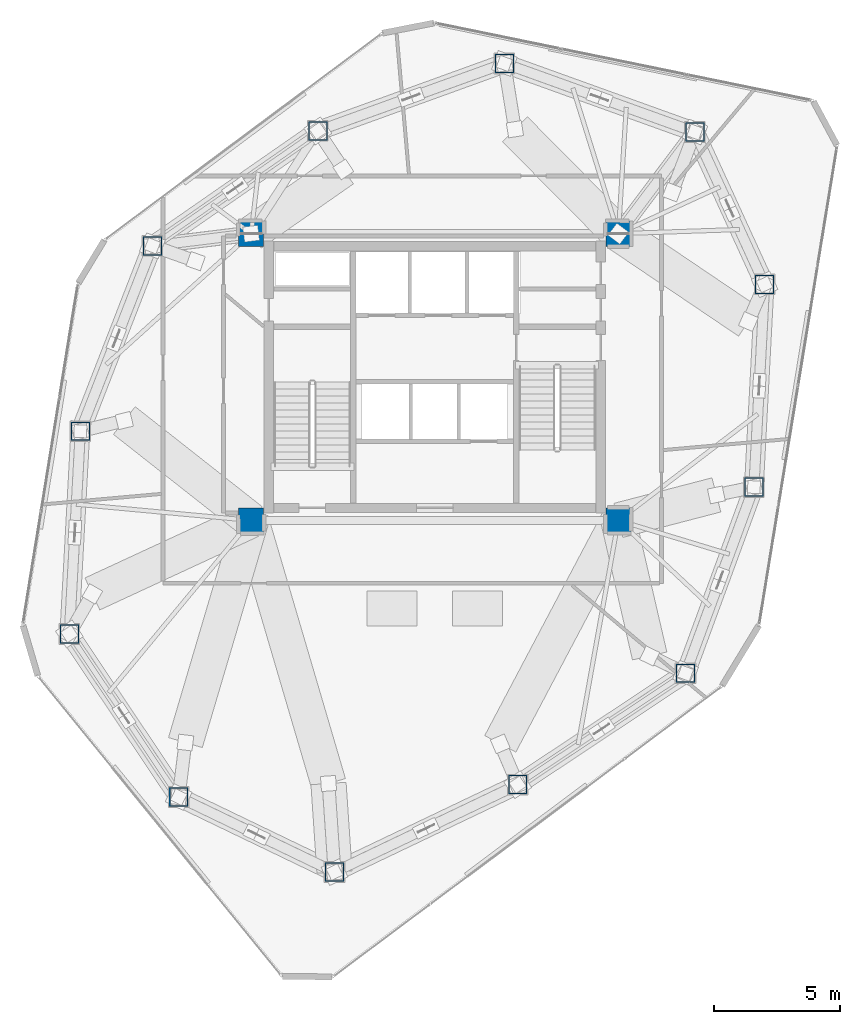
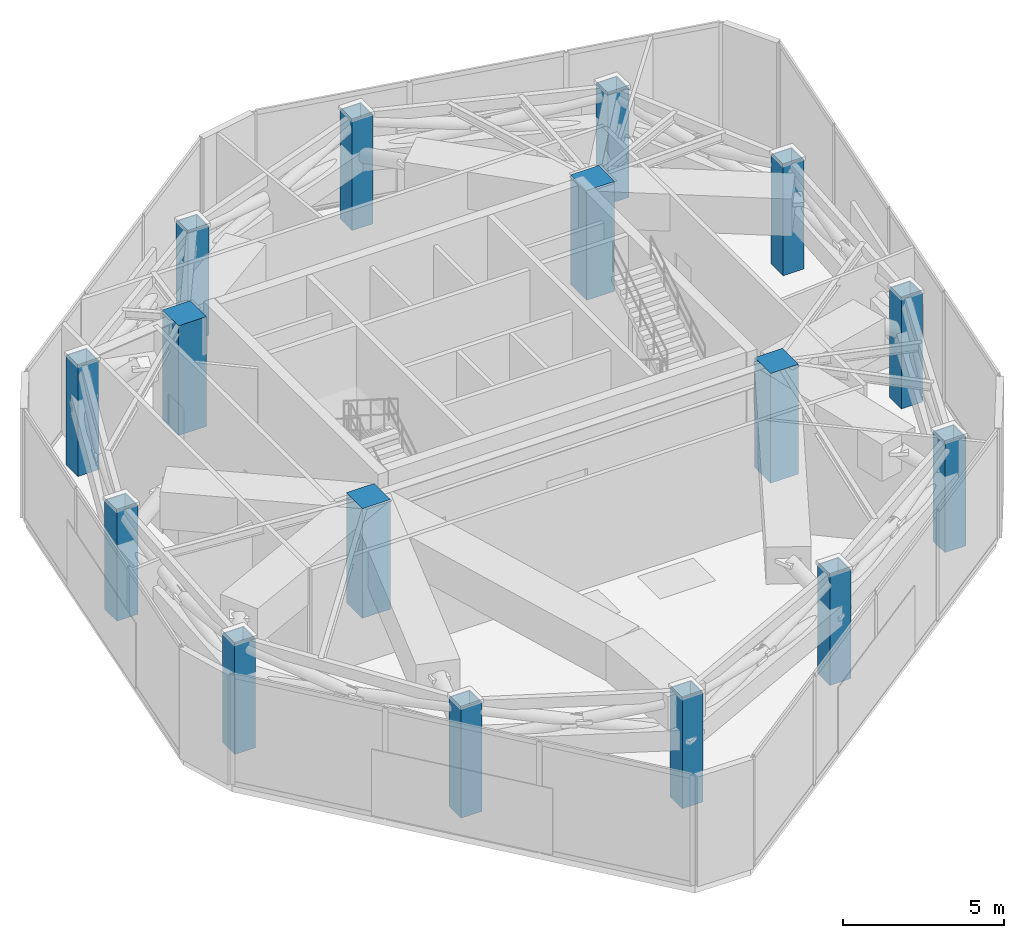
# One storey, part 1 of 19: 16 columns.
"""IFC4 building model written with IfcOpenShell, lengths in metres."""

from ifc_helpers import new_model, si_unit, direction, frame, origin, origin_2d, place, context, subcontext, project, spatial, rectangle, hollow_rectangle, extrude, material, material_profile, profile_set, type_object, element, save


model = new_model("IFC4")

# Units and contexts
model_context = context("Model", 3, precision=1e-05, world=origin(), true_north=direction((0.0, 1.0)))
body_context = subcontext(model_context, "Body", "Model", "MODEL_VIEW")
ifc_project = project(units=[si_unit("LENGTHUNIT", "METRE"), si_unit("AREAUNIT", "SQUARE_METRE"), si_unit("VOLUMEUNIT", "CUBIC_METRE"), si_unit("PLANEANGLEUNIT", "RADIAN"), si_unit("MASSUNIT", "GRAM", prefix="KILO")], contexts=[model_context])

# Site, building, storey
site_placement = place(None, origin())
site = spatial("IfcSite", under=ifc_project, at=site_placement, CompositionType="ELEMENT")
building_placement = place(site_placement, origin())
building = spatial("IfcBuilding", under=site, at=building_placement, Name="Talar Marvaseh", CompositionType="ELEMENT")
storey_placement = place(building_placement, frame((0.0, 0.0, 236.199951171875)))
storey = spatial("IfcBuildingStorey", under=building, at=storey_placement, Name="L62", CompositionType="ELEMENT", Elevation=236.199951171875)

# Columns
ifc_material_1 = material(Name="Steel S460", Category="steel")
ifc_material_profile_1 = material_profile(ifc_material_1, hollow_rectangle(XDim=0.75, YDim=0.75, WallThickness=0.0400390625, at=origin_2d()), Name="BOX750x750x40")
ifc_profile_set_1 = profile_set([ifc_material_profile_1], Name="Steel S460")
column_type_1 = type_object("IfcColumnType", Name="Belt Truss Post BOX750x750x40", PredefinedType="COLUMN", material=ifc_profile_set_1)
for number, where, z_axis, x_axis, name in (
    (1, (28.76611328125, 43.66796875, 0.0), (0.0, 0.0, 1.0), (1.0, 0.0, 0.0), "L62 Belt Truss Post BOX750x750x40"),
    (2, (36.341064453125, 40.94189453125, 0.0), (0.0, 0.0, 1.0), (1.0, 0.0, 0.0), "L62 Belt Truss Post BOX750x750x40"),
    (3, (39.113037109375, 34.884033203125, 0.0), (0.0, 0.0, 1.0), (1.0, 0.0, 0.0), "L62 Belt Truss Post BOX750x750x40"),
    (4, (38.68896484375, 26.823974609375, 0.0), (0.0, 0.0, 1.0), (1.0, 0.0, 0.0), "L62 Belt Truss Post BOX750x750x40"),
    (5, (35.970947265625, 19.423095703125, 0.0), (0.0, 0.0, 1.0), (1.0, 0.0, 0.0), "L62 Belt Truss Post BOX750x750x40"),
    (6, (29.299072265625, 14.993896484375, 0.0), (0.0, 0.0, 1.0), (1.0, 0.0, 0.0), "L62 Belt Truss Post BOX750x750x40"),
    (7, (22.014892578125, 11.51904296875, 0.0), (0.0, 0.0, 1.0), (1.0, 0.0, 0.0), "L62 Belt Truss Post BOX750x750x40"),
    (8, (15.819091796875, 14.5009765625, 0.0), (0.0, 0.0, 1.0), (1.0, 0.0, 0.0), "L62 Belt Truss Post BOX750x750x40"),
    (9, (11.471923828125, 20.986083984375, 0.0), (0.0, 0.0, 1.0), (1.0, 0.0, 0.0), "L62 Belt Truss Post BOX750x750x40"),
    (10, (11.908935546875, 29.044921875, 0.0), (0.0, 0.0, 1.0), (1.0, 0.0, 0.0), "L62 Belt Truss Post BOX750x750x40"),
    (11, (14.77294921875, 36.416015625, 0.0), (0.0, 0.0, 1.0), (1.0, 0.0, 0.0), "L62 Belt Truss Post BOX750x750x40"),
    (12, (21.35205078125, 40.986083984375, 0.0), (0.0, 0.0, 1.0), (1.0, 0.0, 0.0), "L62 Belt Truss Post BOX750x750x40"),
):
    element("IfcColumn", number, at=place(storey_placement, frame(where, z_axis=z_axis, x_axis=x_axis)), inside=storey, type_object=column_type_1, Name=name, PredefinedType="COLUMN", context=body_context, shape_type="SweptSolid", body=[
        extrude(hollow_rectangle(XDim=0.75, YDim=0.75, WallThickness=0.0400390625, at=origin_2d()), origin(), (0.0, 0.0, 1.0), 4.150146484375),
    ])
ifc_material_2 = material(Name="Concrete C60/75", Category="concrete")
ifc_material_profile_2 = material_profile(ifc_material_2, rectangle(XDim=1.0, YDim=1.0, at=origin_2d()), Name="RC1000x1000")
ifc_profile_set_2 = profile_set([ifc_material_profile_2], Name="Concrete C60/75")
column_type_2 = type_object("IfcColumnType", Name="Zone 3 Tube Column RC1000x1000", PredefinedType="COLUMN", material=ifc_profile_set_2)
for number, where, z_axis, x_axis, name in (
    (13, (18.699951171875, 25.5, 0.0), (0.0, 0.0, 1.0), (1.0, 0.0, 0.0), "L62 Zone 3 Tube Column RC1000x1000"),
    (14, (33.300048828125, 25.5, 0.0), (0.0, 0.0, 1.0), (1.0, 0.0, 0.0), "L62 Zone 3 Tube Column RC1000x1000"),
    (15, (33.300048828125, 36.89990234375, 0.0), (0.0, 0.0, 1.0), (1.0, 0.0, 0.0), "L62 Zone 3 Tube Column RC1000x1000"),
    (16, (18.699951171875, 36.89990234375, 0.0), (0.0, 0.0, 1.0), (1.0, 0.0, 0.0), "L62 Zone 3 Tube Column RC1000x1000"),
):
    element("IfcColumn", number, at=place(storey_placement, frame(where, z_axis=z_axis, x_axis=x_axis)), inside=storey, type_object=column_type_2, Name=name, PredefinedType="COLUMN", context=body_context, shape_type="SweptSolid", body=[
        extrude(rectangle(XDim=1.0, YDim=1.0, at=origin_2d()), origin(), (0.0, 0.0, 1.0), 4.150146484375),
    ])

save(model, "model.ifc")
